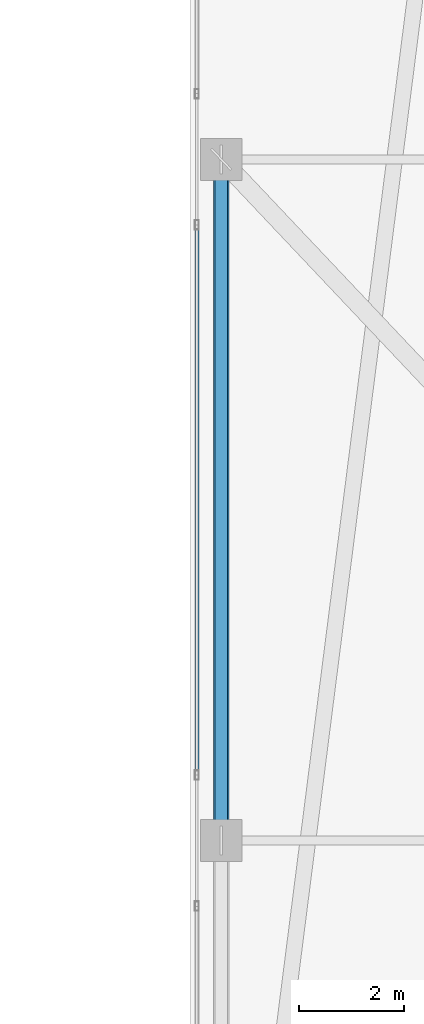
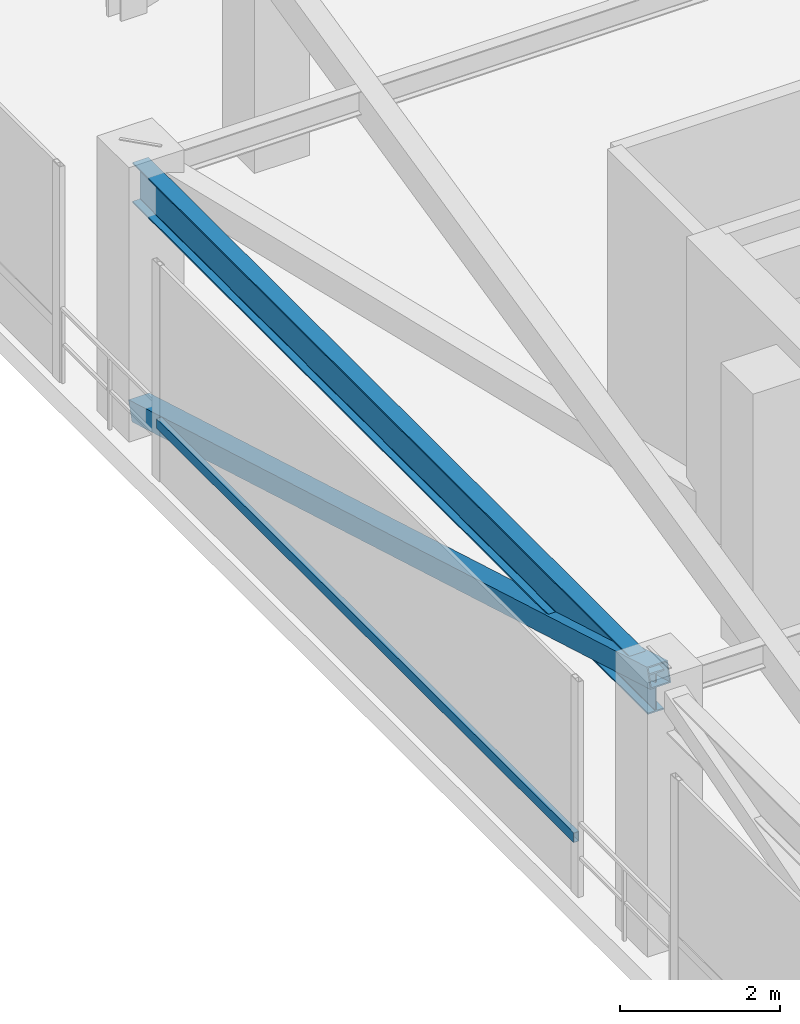
# One storey, part 19 of 47: 2 members, 1 beam, 1 element without a shape of its own.
"""IFC4 building model written with IfcOpenShell, lengths in metres."""

from ifc_helpers import new_model, si_unit, direction, frame, origin, origin_2d, place, context, subcontext, project, spatial, hollow_rectangle, i_section, extrude, material, material_profile, profile_set, type_object, element, aggregate, save


model = new_model("IFC4")

# Units and contexts
model_context = context("Model", 3, precision=1e-05, world=origin(), true_north=direction((0.0, 1.0)))
body_context = subcontext(model_context, "Body", "Model", "MODEL_VIEW")
ifc_project = project(units=[si_unit("LENGTHUNIT", "METRE"), si_unit("AREAUNIT", "SQUARE_METRE"), si_unit("VOLUMEUNIT", "CUBIC_METRE"), si_unit("PLANEANGLEUNIT", "RADIAN"), si_unit("MASSUNIT", "GRAM", prefix="KILO")], contexts=[model_context])

# Site, building, storey
site_placement = place(None, origin())
site = spatial("IfcSite", under=ifc_project, at=site_placement, CompositionType="ELEMENT")
building_placement = place(site_placement, origin())
building = spatial("IfcBuilding", under=site, at=building_placement, Name="Thornwick Lancets Civic Towers", CompositionType="ELEMENT")
storey_placement = place(building_placement, frame((0.0, 0.0, 279.89990234375)))
storey = spatial("IfcBuildingStorey", under=building, at=storey_placement, Name="C01", CompositionType="ELEMENT", Elevation=279.89990234375)

# Beam
ifc_material_1 = material(Name="Steel S355JR", Category="steel")
ifc_material_profile_1 = material_profile(ifc_material_1, i_section(OverallWidth=0.230224609375, OverallDepth=0.6171875, WebThickness=0.01318359375, FlangeThickness=0.022216796875, FilletRadius=0.0126953125, at=origin_2d()), Name="UKB 610x229x140")
ifc_profile_set_1 = profile_set([ifc_material_profile_1], Name="Steel S355JR")
beam_type = type_object("IfcBeamType", Name="BM_GIRD_610_140", PredefinedType="BEAM", material=ifc_profile_set_1)
beam_placement = place(storey_placement, frame((71.199951171875, 27.080078125, 3.631591796875), z_axis=(0.0, 1.0, 0.0), x_axis=(-1.0, 0.0, 0.0)))
element("IfcBeam", 1, at=beam_placement, inside=storey, type_object=beam_type, Name="BM-SPINE-C01-B-7-8", PredefinedType="BEAM", context=body_context, shape_type="SweptSolid", body=[
    extrude(i_section(OverallWidth=0.230224609375, OverallDepth=0.6171875, WebThickness=0.01318359375, FlangeThickness=0.022216796875, FilletRadius=0.0126953125, at=origin_2d()), origin(), (0.0, 0.0, 1.0), 12.919921875),
])

# Curtain wall, member
ifc_material_2 = material(Name="Crown ring acoustic-louvre and glazing screen wall", Category="glass")
curtain_wall_type = type_object("IfcCurtainWallType", Name="CW_SYS_07", PredefinedType="NOTDEFINED", material=ifc_material_2)
curtain_wall_placement = place(storey_placement, origin())
curtain_wall = element("IfcCurtainWall", 2, at=curtain_wall_placement, inside=storey, type_object=curtain_wall_type, Name="C01 Curtain Wall CW-C01-B-E6-S2", PredefinedType="NOTDEFINED")
ifc_material_3 = material(Name="Thermally broken bronze aluminium S355", Category="steel")
ifc_material_profile_2 = material_profile(ifc_material_3, hollow_rectangle(XDim=0.074951171875, YDim=0.14990234375, WallThickness=0.0048828125, at=origin_2d()), Name="RHS 150x75x5")
ifc_profile_set_2 = profile_set([ifc_material_profile_2], Name="Thermally broken bronze aluminium S355")
member_type_1 = type_object("IfcMemberType", Name="CW_TRN_150", PredefinedType="USERDEFINED", material=ifc_profile_set_2)
member_1_placement = place(storey_placement, frame((70.7353515625, 38.72998046875, 0.85009765625), z_axis=(0.0, -1.0, 0.0), x_axis=(1.0, 0.0, 0.0)))
member_1 = element("IfcMember", 3, at=member_1_placement, type_object=member_type_1, Name="CW-C01-B-E6-S2 Transom 0", ObjectType="TRANSOM", PredefinedType="USERDEFINED", context=body_context, shape_type="SweptSolid", body=[
    extrude(hollow_rectangle(XDim=0.074951171875, YDim=0.14990234375, WallThickness=0.0048828125, at=origin_2d()), origin(), (0.0, 0.0, 1.0), 10.4599609375),
])
aggregate(curtain_wall, [member_1])

# Member
ifc_material_4 = material(Name="Steel S460M", Category="steel")
ifc_material_profile_3 = material_profile(ifc_material_4, hollow_rectangle(XDim=0.300048828125, YDim=0.300048828125, WallThickness=0.01611328125, at=origin_2d()), Name="SHS 300x300x16")
ifc_profile_set_3 = profile_set([ifc_material_profile_3], Name="Steel S460M")
member_type_2 = type_object("IfcMemberType", Name="MEM_BELT_SHS300", PredefinedType="BRACE", material=ifc_profile_set_3)
member_2_placement = place(storey_placement, frame((71.199951171875, 40.0, 0.150146484375), z_axis=(0.0, -0.960032302388, 0.279889225178), x_axis=(1.0, 0.0, 0.0)))
element("IfcMember", 4, at=member_2_placement, inside=storey, type_object=member_type_2, Name="C01 Belt Truss Diagonal B-S2-2", PredefinedType="BRACE", context=body_context, shape_type="SweptSolid", body=[
    extrude(hollow_rectangle(XDim=0.300048828125, YDim=0.300048828125, WallThickness=0.01611328125, at=origin_2d()), origin(), (0.0, 0.0, 1.0), 13.541259765625),
])

save(model, "model.ifc")
